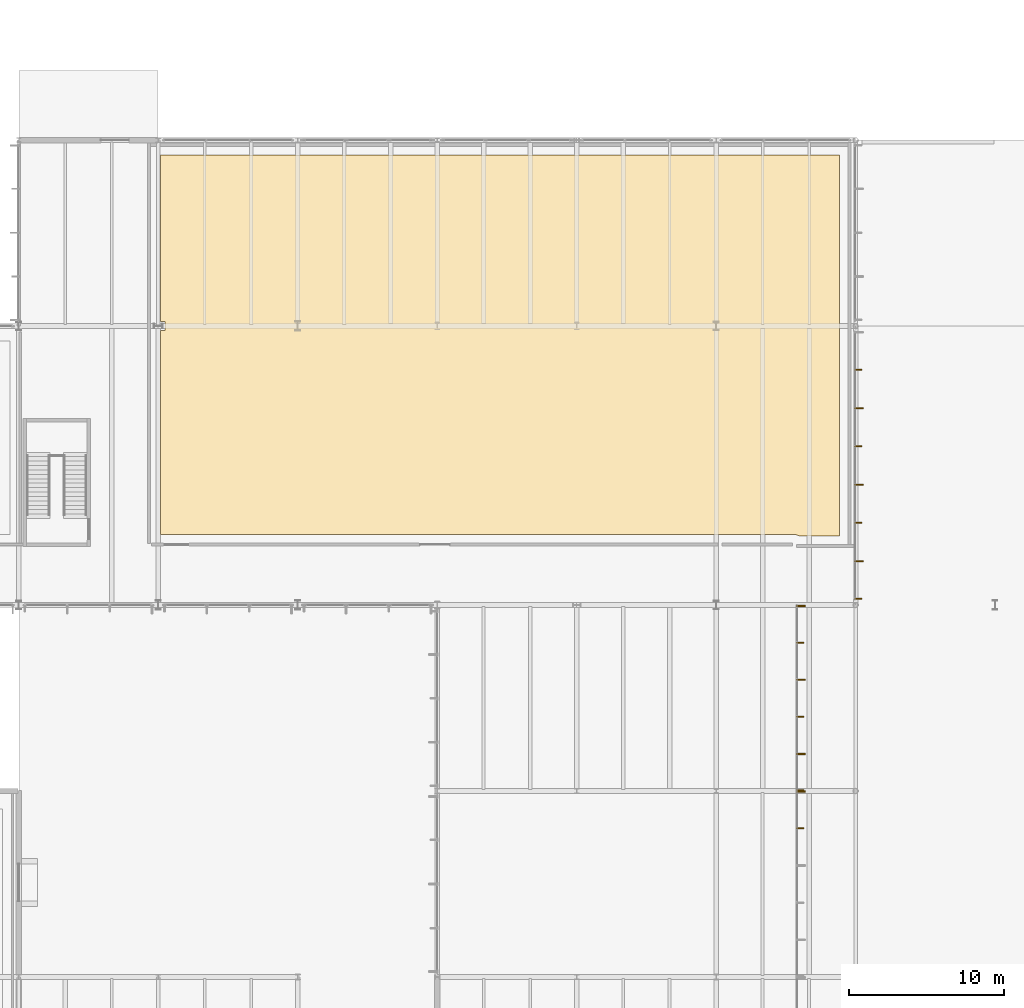
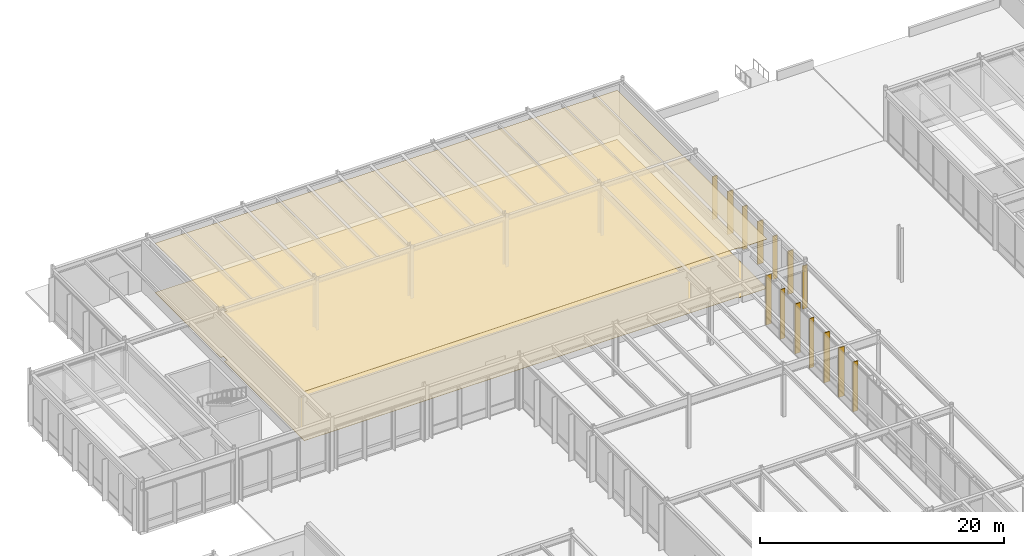
# One storey, part 139 of 143: 15 shading devices, 2 coverings.
"""IFC4 building model written with IfcOpenShell, lengths in metres."""

from ifc_helpers import new_model, si_unit, direction, frame, origin, origin_2d, place, context, subcontext, project, spatial, polyline, rectangle, outline, extrude, material, layer, layer_set, type_object, element, save


model = new_model("IFC4")

# Units and contexts
model_context = context("Model", 3, precision=1e-05, world=origin(), true_north=direction((0.0, 1.0)))
body_context = subcontext(model_context, "Body", "Model", "MODEL_VIEW")
ifc_project = project(units=[si_unit("LENGTHUNIT", "METRE"), si_unit("AREAUNIT", "SQUARE_METRE"), si_unit("VOLUMEUNIT", "CUBIC_METRE"), si_unit("PLANEANGLEUNIT", "RADIAN"), si_unit("MASSUNIT", "GRAM", prefix="KILO")], contexts=[model_context])

# Site, building, storey
site_placement = place(None, origin())
site = spatial("IfcSite", under=ifc_project, at=site_placement, CompositionType="ELEMENT")
building_placement = place(site_placement, origin())
building = spatial("IfcBuilding", under=site, at=building_placement, Name="Montelvaro Courts of Justice", CompositionType="ELEMENT")
storey_placement = place(building_placement, origin())
storey = spatial("IfcBuildingStorey", under=building, at=storey_placement, Name="L00", CompositionType="ELEMENT", Elevation=0.0)

# Coverings
ifc_material_1 = material(Name="Perforated acoustic gypsum ceiling")
ifc_layer_1 = layer(ifc_material_1, 0.0400390625)
ifc_layer_set_1 = layer_set([ifc_layer_1], Name="Perforated acoustic gypsum ceiling")
covering_type_1 = type_object("IfcCoveringType", Name="AcousticCeiling_Court", PredefinedType="CEILING", material=ifc_layer_set_1)
covering_1_placement = place(storey_placement, frame((0.0, 0.0, 4.919921875)))
element("IfcCovering", 1, at=covering_1_placement, inside=storey, type_object=covering_type_1, Name="Acoustic Ceiling Panel AC-01 (L00-21)", PredefinedType="CEILING", context=body_context, shape_type="SweptSolid", body=[
    extrude(outline(polyline([(77.363037109375, 82.4560546875), (77.31103515625, 82.48193359375), (77.302001953125, 82.486083984375), (77.29296875, 82.489990234375), (77.23291015625, 82.512939453125), (77.169921875, 82.531005859375), (77.160888671875, 82.532958984375), (77.14697265625, 82.534912109375), (77.136962890625, 82.537109375), (77.073974609375, 82.547119140625), (77.010009765625, 82.550048828125), (72.2900390625, 82.550048828125), (72.25, 82.548095703125), (72.2099609375, 82.550048828125), (36.14990234375, 82.550048828125), (36.14990234375, 95.699951171875), (36.449951171875, 95.699951171875), (36.449951171875, 96.300048828125), (36.14990234375, 96.300048828125), (36.14990234375, 107.050048828125), (79.949951171875, 107.050048828125), (79.949951171875, 82.449951171875), (77.3740234375, 82.449951171875), (77.3720703125, 82.450927734375), (77.363037109375, 82.4560546875)])), origin(), (0.0, 0.0, 1.0), 0.0400390625),
])
ifc_material_2 = material(Name="Alicante limestone judicial flooring", Category="masonry")
ifc_layer_2 = layer(ifc_material_2, 0.030029296875)
ifc_layer_set_2 = layer_set([ifc_layer_2], Name="Alicante limestone judicial flooring")
covering_type_2 = type_object("IfcCoveringType", Name="JudicialStoneFlooring", PredefinedType="FLOORING", material=ifc_layer_set_2)
covering_2_placement = place(storey_placement, origin())
element("IfcCovering", 2, at=covering_2_placement, inside=storey, type_object=covering_type_2, Name="Judicial Stone Flooring FLR-01 (L00-21)", PredefinedType="FLOORING", context=body_context, shape_type="SweptSolid", body=[
    extrude(outline(polyline([(77.363037109375, 82.4560546875), (77.31103515625, 82.48193359375), (77.302001953125, 82.486083984375), (77.29296875, 82.489990234375), (77.23291015625, 82.512939453125), (77.169921875, 82.531005859375), (77.160888671875, 82.532958984375), (77.14697265625, 82.534912109375), (77.136962890625, 82.537109375), (77.073974609375, 82.547119140625), (77.010009765625, 82.550048828125), (72.2900390625, 82.550048828125), (72.25, 82.548095703125), (72.2099609375, 82.550048828125), (36.14990234375, 82.550048828125), (36.14990234375, 95.699951171875), (36.449951171875, 95.699951171875), (36.449951171875, 96.300048828125), (36.14990234375, 96.300048828125), (36.14990234375, 107.050048828125), (79.949951171875, 107.050048828125), (79.949951171875, 82.449951171875), (77.3740234375, 82.449951171875), (77.3720703125, 82.450927734375), (77.363037109375, 82.4560546875)])), origin(), (0.0, 0.0, 1.0), 0.030029296875),
])

# Shading devices
ifc_material_3 = material(Name="Champagne anodised aluminium EN AW-6063", Category="aluminium")
ifc_layer_3 = layer(ifc_material_3, 0.080078125)
ifc_layer_set_3 = layer_set([ifc_layer_3], Name="Champagne anodised aluminium EN AW-6063")
shading_device_type_1 = type_object("IfcShadingDeviceType", Name="SolarFin_Champagne", PredefinedType="JALOUSIE", material=ifc_layer_set_3)
for number, where, z_axis, x_axis, name in (
    (3, (81.22509765625, 80.83203125, 0.0498046875), (0.0, 0.0, 1.0), (0.0, 1.0, 0.0), "Solar Brise-Soleil Fin SH-01 CW-018"),
    (4, (81.22509765625, 85.766357421875, 0.0498046875), (0.0, 0.0, 1.0), (0.0, 1.0, 0.0), "Solar Brise-Soleil Fin SH-01 CW-020"),
    (5, (81.22509765625, 90.70068359375, 0.0498046875), (0.0, 0.0, 1.0), (0.0, 1.0, 0.0), "Solar Brise-Soleil Fin SH-01 CW-022"),
):
    element("IfcShadingDevice", number, at=place(storey_placement, frame(where, z_axis=z_axis, x_axis=x_axis)), inside=storey, type_object=shading_device_type_1, Name=name, PredefinedType="JALOUSIE", context=body_context, shape_type="SweptSolid", body=[
        extrude(rectangle(XDim=0.080078125, YDim=0.550048828125, at=origin_2d()), origin(), (0.0, 0.0, 1.0), 4.324951171875),
    ])
for number, where, z_axis, x_axis, name in (
    (6, (77.47509765625, 65.969970703125, 0.050048828125), (0.0, 0.0, 1.0), (0.0, 1.0, 0.0), "Solar Brise-Soleil Fin SH-01 CW-054"),
    (7, (77.47509765625, 68.39208984375, 0.050048828125), (0.0, 0.0, 1.0), (0.0, 1.0, 0.0), "Solar Brise-Soleil Fin SH-01 CW-056"),
    (8, (77.47509765625, 73.176025390625, 0.050048828125), (0.0, 0.0, 1.0), (0.0, 1.0, 0.0), "Solar Brise-Soleil Fin SH-01 CW-058"),
    (9, (77.47509765625, 77.929931640625, 0.050048828125), (0.0, 0.0, 1.0), (0.0, 1.0, 0.0), "Solar Brise-Soleil Fin SH-01 CW-060"),
):
    element("IfcShadingDevice", number, at=place(storey_placement, frame(where, z_axis=z_axis, x_axis=x_axis)), inside=storey, type_object=shading_device_type_1, Name=name, PredefinedType="JALOUSIE", context=body_context, shape_type="SweptSolid", body=[
        extrude(rectangle(XDim=0.080078125, YDim=0.550048828125, at=origin_2d()), origin(), (0.0, 0.0, 1.0), 4.97998046875),
    ])
ifc_layer_4 = layer(ifc_material_3, 0.070068359375)
ifc_layer_set_4 = layer_set([ifc_layer_4], Name="Champagne anodised aluminium EN AW-6063")
shading_device_type_2 = type_object("IfcShadingDeviceType", Name="SolarLouvre_Mediterranean", PredefinedType="SHUTTER", material=ifc_layer_set_4)
for number, where, z_axis, x_axis, name in (
    (10, (81.175048828125, 78.39501953125, 0.0498046875), (0.0, 0.0, 1.0), (0.0, 1.0, 0.0), "Solar Brise-Soleil Fin SH-02 CW-017"),
    (11, (81.175048828125, 83.29931640625, 0.0498046875), (0.0, 0.0, 1.0), (0.0, 1.0, 0.0), "Solar Brise-Soleil Fin SH-02 CW-019"),
    (12, (81.175048828125, 88.233642578125, 0.0498046875), (0.0, 0.0, 1.0), (0.0, 1.0, 0.0), "Solar Brise-Soleil Fin SH-02 CW-021"),
    (13, (81.175048828125, 93.16796875, 0.0498046875), (0.0, 0.0, 1.0), (0.0, 1.0, 0.0), "Solar Brise-Soleil Fin SH-02 CW-023"),
):
    element("IfcShadingDevice", number, at=place(storey_placement, frame(where, z_axis=z_axis, x_axis=x_axis)), inside=storey, type_object=shading_device_type_2, Name=name, PredefinedType="SHUTTER", context=body_context, shape_type="SweptSolid", body=[
        extrude(rectangle(XDim=0.070068359375, YDim=0.449951171875, at=origin_2d()), origin(), (0.0, 0.0, 1.0), 4.324951171875),
    ])
for number, where, z_axis, x_axis, name in (
    (14, (77.425048828125, 63.60009765625, 0.050048828125), (0.0, 0.0, 1.0), (0.0, 1.0, 0.0), "Solar Brise-Soleil Fin SH-02 CW-053"),
    (15, (77.425048828125, 66.030029296875, 0.050048828125), (0.0, 0.0, 1.0), (0.0, 1.0, 0.0), "Solar Brise-Soleil Fin SH-02 CW-055"),
    (16, (77.425048828125, 70.783935546875, 0.050048828125), (0.0, 0.0, 1.0), (0.0, 1.0, 0.0), "Solar Brise-Soleil Fin SH-02 CW-057"),
    (17, (77.425048828125, 75.568115234375, 0.050048828125), (0.0, 0.0, 1.0), (0.0, 1.0, 0.0), "Solar Brise-Soleil Fin SH-02 CW-059"),
):
    element("IfcShadingDevice", number, at=place(storey_placement, frame(where, z_axis=z_axis, x_axis=x_axis)), inside=storey, type_object=shading_device_type_2, Name=name, PredefinedType="SHUTTER", context=body_context, shape_type="SweptSolid", body=[
        extrude(rectangle(XDim=0.070068359375, YDim=0.449951171875, at=origin_2d()), origin(), (0.0, 0.0, 1.0), 4.97998046875),
    ])

save(model, "model.ifc")
